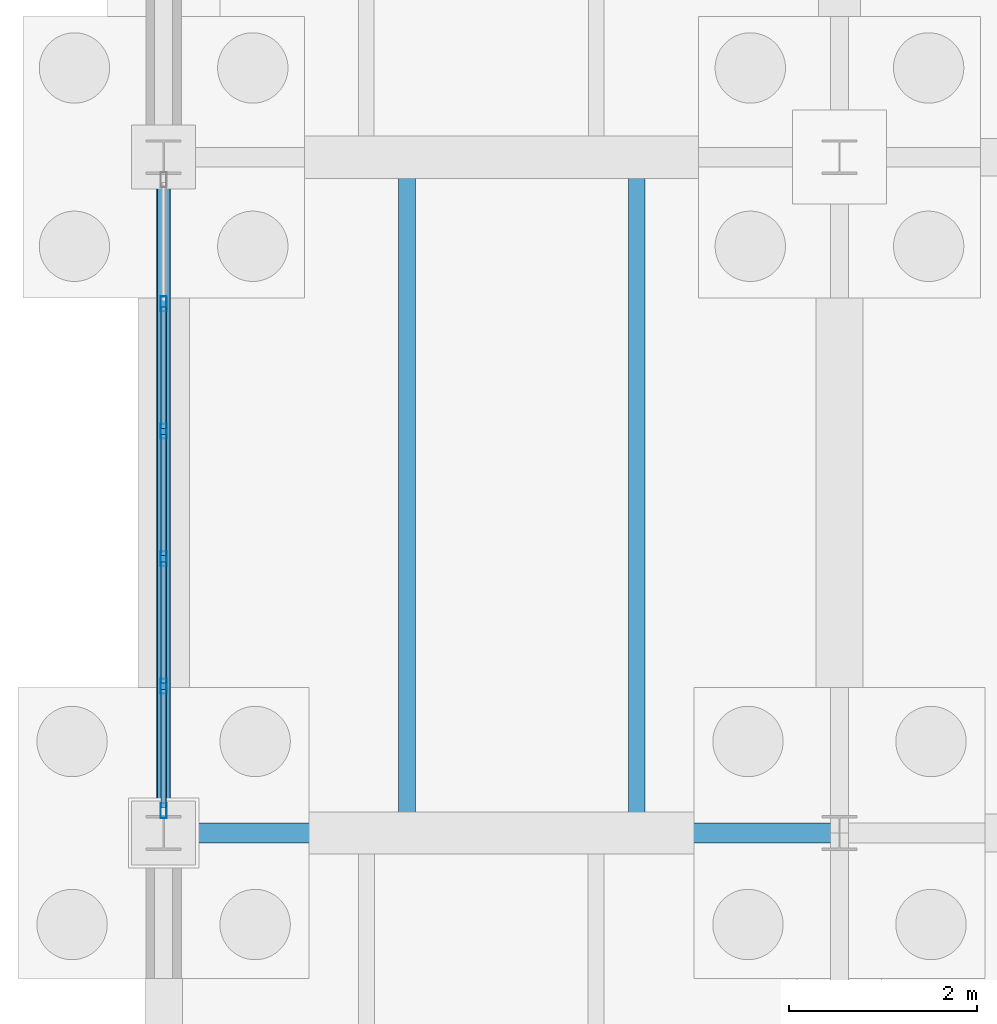
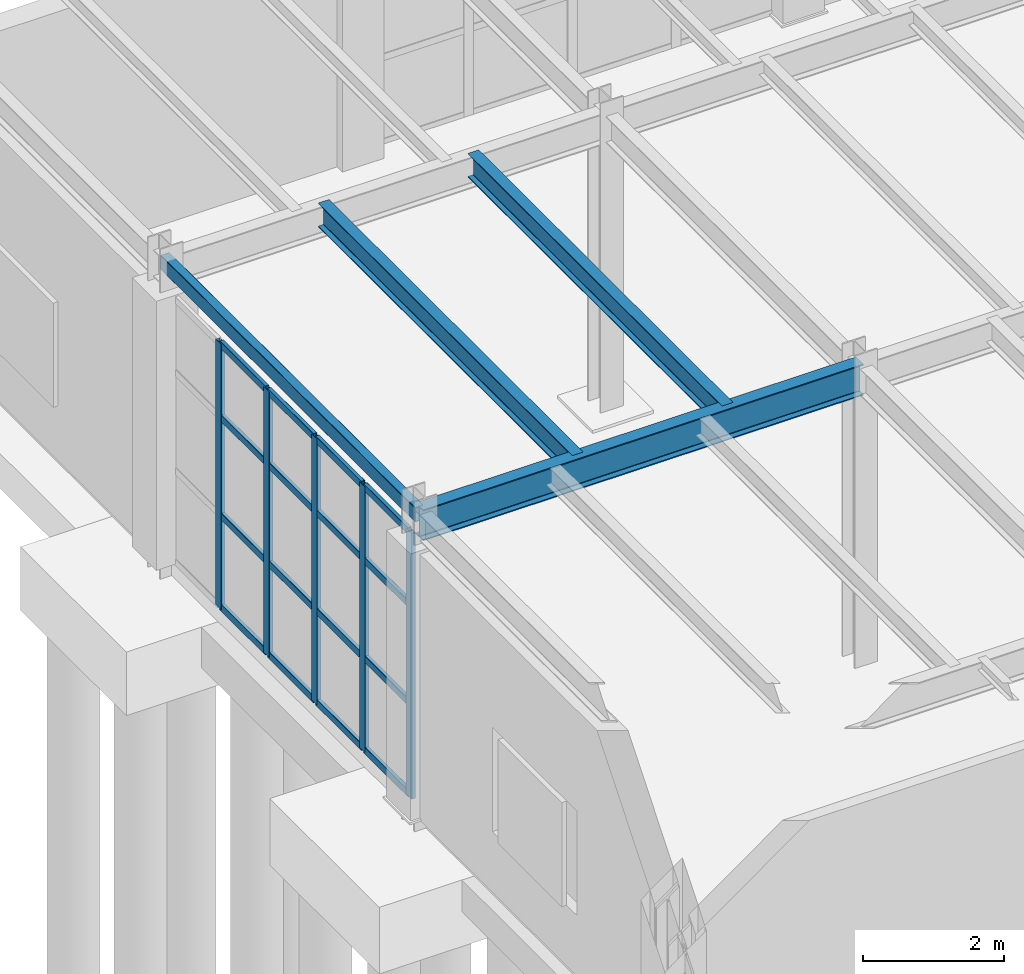
# One storey, part 94 of 293: 21 members, 4 beams, 1 element without a shape of its own.
"""IFC4 building model written with IfcOpenShell, lengths in metres."""

from ifc_helpers import new_model, si_unit, direction, frame, origin, origin_2d, place, context, subcontext, project, spatial, hollow_rectangle, i_section, extrude, material, layer, layer_set, material_profile, profile_set, type_object, element, aggregate, save


model = new_model("IFC4")

# Units and contexts
model_context = context("Model", 3, precision=1e-05, world=origin(), true_north=direction((0.0, 1.0)))
body_context = subcontext(model_context, "Body", "Model", "MODEL_VIEW")
ifc_project = project(units=[si_unit("LENGTHUNIT", "METRE"), si_unit("AREAUNIT", "SQUARE_METRE"), si_unit("VOLUMEUNIT", "CUBIC_METRE"), si_unit("PLANEANGLEUNIT", "RADIAN"), si_unit("MASSUNIT", "GRAM", prefix="KILO")], contexts=[model_context])

# Site, building, storey
site_placement = place(None, origin())
site = spatial("IfcSite", under=ifc_project, at=site_placement, CompositionType="ELEMENT")
building_placement = place(site_placement, origin())
building = spatial("IfcBuilding", under=site, at=building_placement, Name="Kemerveld Promenade Tramway Depot", CompositionType="ELEMENT")
storey_placement = place(building_placement, origin())
storey = spatial("IfcBuildingStorey", under=building, at=storey_placement, Name="L00", CompositionType="ELEMENT", Elevation=0.0)

# Beams
ifc_material_1 = material(Name="Steel S355", Category="steel")
ifc_material_profile_1 = material_profile(ifc_material_1, i_section(OverallWidth=0.2099609375, OverallDepth=0.53662109375, WebThickness=0.0107421875, FlangeThickness=0.017333984375, FilletRadius=0.0126953125, at=origin_2d()), Name="533x210x101 UB")
ifc_profile_set_1 = profile_set([ifc_material_profile_1], Name="Steel S355")
beam_type_1 = type_object("IfcBeamType", Name="BM-G05", PredefinedType="BEAM", material=ifc_profile_set_1)
beam_1_placement = place(storey_placement, frame((0.0, 64.800048828125, 4.881591796875), z_axis=(1.0, 0.0, 0.0), x_axis=(0.0, 1.0, 0.0)))
element("IfcBeam", 1, at=beam_1_placement, inside=storey, type_object=beam_type_1, Name="BMX-L00-01-02-K", PredefinedType="BEAM", context=body_context, shape_type="SweptSolid", body=[
    extrude(i_section(OverallWidth=0.2099609375, OverallDepth=0.53662109375, WebThickness=0.0107421875, FlangeThickness=0.017333984375, FilletRadius=0.0126953125, at=origin_2d()), origin(), (0.0, 0.0, 1.0), 7.199951171875),
])
ifc_material_profile_2 = material_profile(ifc_material_1, i_section(OverallWidth=0.1787109375, OverallDepth=0.409423828125, WebThickness=0.0087890625, FlangeThickness=0.014404296875, FilletRadius=0.01025390625, at=origin_2d()), Name="406x178x67 UB")
ifc_profile_set_2 = profile_set([ifc_material_profile_2], Name="Steel S355")
beam_type_2 = type_object("IfcBeamType", Name="BM-J05", PredefinedType="JOIST", material=ifc_profile_set_2)
for number, where, z_axis, x_axis, name in (
    (2, (2.592041015625, 64.800048828125, 4.9453125), (0.0, 1.0, 0.0), (-1.0, 0.0, 0.0), "JST-L00-01-K-1"),
    (3, (5.0400390625, 64.800048828125, 4.9453125), (0.0, 1.0, 0.0), (-1.0, 0.0, 0.0), "JST-L00-01-K-2"),
):
    element("IfcBeam", number, at=place(storey_placement, frame(where, z_axis=z_axis, x_axis=x_axis)), inside=storey, type_object=beam_type_2, Name=name, PredefinedType="JOIST", context=body_context, shape_type="SweptSolid", body=[
        extrude(i_section(OverallWidth=0.1787109375, OverallDepth=0.409423828125, WebThickness=0.0087890625, FlangeThickness=0.014404296875, FilletRadius=0.01025390625, at=origin_2d()), origin(), (0.0, 0.0, 1.0), 7.199951171875),
    ])
ifc_material_profile_3 = material_profile(ifc_material_1, hollow_rectangle(XDim=0.14990234375, YDim=0.25, WallThickness=0.010009765625, InnerFilletRadius=0.0048828125, OuterFilletRadius=0.014892578125, at=origin_2d()), Name="250x150x10.0 RHS")
ifc_profile_set_3 = profile_set([ifc_material_profile_3], Name="Steel S355")
beam_type_3 = type_object("IfcBeamType", Name="BM-SP2", PredefinedType="SPANDREL", material=ifc_profile_set_3)
beam_2_placement = place(storey_placement, frame((0.0, 64.800048828125, 5.02490234375), z_axis=(0.0, 1.0, 0.0), x_axis=(-1.0, 0.0, 0.0)))
element("IfcBeam", 4, at=beam_2_placement, inside=storey, type_object=beam_type_3, Name="BMY-L00-01-K-L", PredefinedType="SPANDREL", context=body_context, shape_type="SweptSolid", body=[
    extrude(hollow_rectangle(XDim=0.14990234375, YDim=0.25, WallThickness=0.010009765625, InnerFilletRadius=0.0048828125, OuterFilletRadius=0.014892578125, at=origin_2d()), origin(), (0.0, 0.0, 1.0), 7.199951171875),
])

# Curtain wall, members
ifc_material_2 = material(Name="Bronze anodised aluminium and solar glass", Category="aluminium")
ifc_layer = layer(ifc_material_2, 0.159912109375)
ifc_layer_set = layer_set([ifc_layer], Name="CW-SYS-13")
curtain_wall_type = type_object("IfcCurtainWallType", Name="CW-SYS-13", PredefinedType="USERDEFINED", material=ifc_layer_set)
curtain_wall_placement = place(storey_placement, origin())
curtain_wall = element("IfcCurtainWall", 5, at=curtain_wall_placement, inside=storey, type_object=curtain_wall_type, Name="CW-L00-V5W-10", ObjectType="GLAZED_CURTAIN_WALL", PredefinedType="USERDEFINED")
ifc_material_3 = material(Name="Bronze anodised aluminium", Category="aluminium")
ifc_material_profile_4 = material_profile(ifc_material_3, hollow_rectangle(XDim=0.06494140625, YDim=0.159912109375, WallThickness=0.00390625, InnerFilletRadius=0.001953125, OuterFilletRadius=0.00390625, at=origin_2d()), Name="CW-MUL-160x65")
ifc_profile_set_4 = profile_set([ifc_material_profile_4], Name="Bronze anodised aluminium")
member_type_1 = type_object("IfcMemberType", Name="CW-MUL-A", PredefinedType="MULLION", material=ifc_profile_set_4)
member_1_placement = place(storey_placement, frame((0.0, 65.038818359375, 0.0), z_axis=(0.0, 0.0, 1.0), x_axis=(-1.0, 0.0, 0.0)))
member_1 = element("IfcMember", 6, at=member_1_placement, type_object=member_type_1, Name="CW13 mullion 1", PredefinedType="MULLION", context=body_context, shape_type="SweptSolid", body=[
    extrude(hollow_rectangle(XDim=0.06494140625, YDim=0.159912109375, WallThickness=0.00390625, InnerFilletRadius=0.001953125, OuterFilletRadius=0.00390625, at=origin_2d()), origin(), (0.0, 0.0, 1.0), 4.593505859375),
])
member_2_placement = place(storey_placement, frame((0.0, 66.36376953125, 0.0), z_axis=(0.0, 0.0, 1.0), x_axis=(-1.0, 0.0, 0.0)))
member_2 = element("IfcMember", 7, at=member_2_placement, type_object=member_type_1, Name="CW13 mullion 2", PredefinedType="MULLION", context=body_context, shape_type="SweptSolid", body=[
    extrude(hollow_rectangle(XDim=0.06494140625, YDim=0.159912109375, WallThickness=0.00390625, InnerFilletRadius=0.001953125, OuterFilletRadius=0.00390625, at=origin_2d()), origin(), (0.0, 0.0, 1.0), 4.593505859375),
])
member_3_placement = place(storey_placement, frame((0.0, 67.72119140625, 0.0), z_axis=(0.0, 0.0, 1.0), x_axis=(-1.0, 0.0, 0.0)))
member_3 = element("IfcMember", 8, at=member_3_placement, type_object=member_type_1, Name="CW13 mullion 3", PredefinedType="MULLION", context=body_context, shape_type="SweptSolid", body=[
    extrude(hollow_rectangle(XDim=0.06494140625, YDim=0.159912109375, WallThickness=0.00390625, InnerFilletRadius=0.001953125, OuterFilletRadius=0.00390625, at=origin_2d()), origin(), (0.0, 0.0, 1.0), 4.593505859375),
])
member_4_placement = place(storey_placement, frame((0.0, 69.078857421875, 0.0), z_axis=(0.0, 0.0, 1.0), x_axis=(-1.0, 0.0, 0.0)))
member_4 = element("IfcMember", 9, at=member_4_placement, type_object=member_type_1, Name="CW13 mullion 4", PredefinedType="MULLION", context=body_context, shape_type="SweptSolid", body=[
    extrude(hollow_rectangle(XDim=0.06494140625, YDim=0.159912109375, WallThickness=0.00390625, InnerFilletRadius=0.001953125, OuterFilletRadius=0.00390625, at=origin_2d()), origin(), (0.0, 0.0, 1.0), 4.593505859375),
])
member_5_placement = place(storey_placement, frame((0.0, 70.436279296875, 0.0), z_axis=(0.0, 0.0, 1.0), x_axis=(-1.0, 0.0, 0.0)))
member_5 = element("IfcMember", 10, at=member_5_placement, type_object=member_type_1, Name="CW13 mullion 5", PredefinedType="MULLION", context=body_context, shape_type="SweptSolid", body=[
    extrude(hollow_rectangle(XDim=0.06494140625, YDim=0.159912109375, WallThickness=0.00390625, InnerFilletRadius=0.001953125, OuterFilletRadius=0.00390625, at=origin_2d()), origin(), (0.0, 0.0, 1.0), 4.593505859375),
])
ifc_material_profile_5 = material_profile(ifc_material_3, hollow_rectangle(XDim=0.06005859375, YDim=0.1201171875, WallThickness=0.00390625, InnerFilletRadius=0.001953125, OuterFilletRadius=0.00390625, at=origin_2d()), Name="CW-TRN-120x60")
ifc_profile_set_5 = profile_set([ifc_material_profile_5], Name="Bronze anodised aluminium")
member_type_2 = type_object("IfcMemberType", Name="CW-TRN-A", PredefinedType="USERDEFINED", material=ifc_profile_set_5)
member_6_placement = place(storey_placement, frame((0.0, 65.0712890625, 0.030029296875), z_axis=(0.0, 1.0, 0.0), x_axis=(-1.0, 0.0, 0.0)))
member_6 = element("IfcMember", 11, at=member_6_placement, type_object=member_type_2, Name="CW13 transom 1.1", ObjectType="TRANSOM", PredefinedType="USERDEFINED", context=body_context, shape_type="SweptSolid", body=[
    extrude(hollow_rectangle(XDim=0.06005859375, YDim=0.1201171875, WallThickness=0.00390625, InnerFilletRadius=0.001953125, OuterFilletRadius=0.00390625, at=origin_2d()), origin(), (0.0, 0.0, 1.0), 1.260009765625),
])
member_7_placement = place(storey_placement, frame((0.0, 65.0712890625, 1.60791015625), z_axis=(0.0, 1.0, 0.0), x_axis=(-1.0, 0.0, 0.0)))
member_7 = element("IfcMember", 12, at=member_7_placement, type_object=member_type_2, Name="CW13 transom 1.2", ObjectType="TRANSOM", PredefinedType="USERDEFINED", context=body_context, shape_type="SweptSolid", body=[
    extrude(hollow_rectangle(XDim=0.06005859375, YDim=0.1201171875, WallThickness=0.00390625, InnerFilletRadius=0.001953125, OuterFilletRadius=0.00390625, at=origin_2d()), origin(), (0.0, 0.0, 1.0), 1.260009765625),
])
member_8_placement = place(storey_placement, frame((0.0, 65.0712890625, 3.306884765625), z_axis=(0.0, 1.0, 0.0), x_axis=(-1.0, 0.0, 0.0)))
member_8 = element("IfcMember", 13, at=member_8_placement, type_object=member_type_2, Name="CW13 transom 1.3", ObjectType="TRANSOM", PredefinedType="USERDEFINED", context=body_context, shape_type="SweptSolid", body=[
    extrude(hollow_rectangle(XDim=0.06005859375, YDim=0.1201171875, WallThickness=0.00390625, InnerFilletRadius=0.001953125, OuterFilletRadius=0.00390625, at=origin_2d()), origin(), (0.0, 0.0, 1.0), 1.260009765625),
])
member_9_placement = place(storey_placement, frame((0.0, 65.0712890625, 4.5634765625), z_axis=(0.0, 1.0, 0.0), x_axis=(-1.0, 0.0, 0.0)))
member_9 = element("IfcMember", 14, at=member_9_placement, type_object=member_type_2, Name="CW13 transom 1.4", ObjectType="TRANSOM", PredefinedType="USERDEFINED", context=body_context, shape_type="SweptSolid", body=[
    extrude(hollow_rectangle(XDim=0.06005859375, YDim=0.1201171875, WallThickness=0.00390625, InnerFilletRadius=0.001953125, OuterFilletRadius=0.00390625, at=origin_2d()), origin(), (0.0, 0.0, 1.0), 1.260009765625),
])
member_10_placement = place(storey_placement, frame((0.0, 66.396240234375, 0.030029296875), z_axis=(0.0, 1.0, 0.0), x_axis=(-1.0, 0.0, 0.0)))
member_10 = element("IfcMember", 15, at=member_10_placement, type_object=member_type_2, Name="CW13 transom 2.1", ObjectType="TRANSOM", PredefinedType="USERDEFINED", context=body_context, shape_type="SweptSolid", body=[
    extrude(hollow_rectangle(XDim=0.06005859375, YDim=0.1201171875, WallThickness=0.00390625, InnerFilletRadius=0.001953125, OuterFilletRadius=0.00390625, at=origin_2d()), origin(), (0.0, 0.0, 1.0), 1.29248046875),
])
member_11_placement = place(storey_placement, frame((0.0, 66.396240234375, 1.60791015625), z_axis=(0.0, 1.0, 0.0), x_axis=(-1.0, 0.0, 0.0)))
member_11 = element("IfcMember", 16, at=member_11_placement, type_object=member_type_2, Name="CW13 transom 2.2", ObjectType="TRANSOM", PredefinedType="USERDEFINED", context=body_context, shape_type="SweptSolid", body=[
    extrude(hollow_rectangle(XDim=0.06005859375, YDim=0.1201171875, WallThickness=0.00390625, InnerFilletRadius=0.001953125, OuterFilletRadius=0.00390625, at=origin_2d()), origin(), (0.0, 0.0, 1.0), 1.29248046875),
])
member_12_placement = place(storey_placement, frame((0.0, 66.396240234375, 3.306884765625), z_axis=(0.0, 1.0, 0.0), x_axis=(-1.0, 0.0, 0.0)))
member_12 = element("IfcMember", 17, at=member_12_placement, type_object=member_type_2, Name="CW13 transom 2.3", ObjectType="TRANSOM", PredefinedType="USERDEFINED", context=body_context, shape_type="SweptSolid", body=[
    extrude(hollow_rectangle(XDim=0.06005859375, YDim=0.1201171875, WallThickness=0.00390625, InnerFilletRadius=0.001953125, OuterFilletRadius=0.00390625, at=origin_2d()), origin(), (0.0, 0.0, 1.0), 1.29248046875),
])
member_13_placement = place(storey_placement, frame((0.0, 66.396240234375, 4.5634765625), z_axis=(0.0, 1.0, 0.0), x_axis=(-1.0, 0.0, 0.0)))
member_13 = element("IfcMember", 18, at=member_13_placement, type_object=member_type_2, Name="CW13 transom 2.4", ObjectType="TRANSOM", PredefinedType="USERDEFINED", context=body_context, shape_type="SweptSolid", body=[
    extrude(hollow_rectangle(XDim=0.06005859375, YDim=0.1201171875, WallThickness=0.00390625, InnerFilletRadius=0.001953125, OuterFilletRadius=0.00390625, at=origin_2d()), origin(), (0.0, 0.0, 1.0), 1.29248046875),
])
member_14_placement = place(storey_placement, frame((0.0, 67.753662109375, 0.030029296875), z_axis=(0.0, 1.0, 0.0), x_axis=(-1.0, 0.0, 0.0)))
member_14 = element("IfcMember", 19, at=member_14_placement, type_object=member_type_2, Name="CW13 transom 3.1", ObjectType="TRANSOM", PredefinedType="USERDEFINED", context=body_context, shape_type="SweptSolid", body=[
    extrude(hollow_rectangle(XDim=0.06005859375, YDim=0.1201171875, WallThickness=0.00390625, InnerFilletRadius=0.001953125, OuterFilletRadius=0.00390625, at=origin_2d()), origin(), (0.0, 0.0, 1.0), 1.29248046875),
])
member_15_placement = place(storey_placement, frame((0.0, 67.753662109375, 1.60791015625), z_axis=(0.0, 1.0, 0.0), x_axis=(-1.0, 0.0, 0.0)))
member_15 = element("IfcMember", 20, at=member_15_placement, type_object=member_type_2, Name="CW13 transom 3.2", ObjectType="TRANSOM", PredefinedType="USERDEFINED", context=body_context, shape_type="SweptSolid", body=[
    extrude(hollow_rectangle(XDim=0.06005859375, YDim=0.1201171875, WallThickness=0.00390625, InnerFilletRadius=0.001953125, OuterFilletRadius=0.00390625, at=origin_2d()), origin(), (0.0, 0.0, 1.0), 1.29248046875),
])
member_16_placement = place(storey_placement, frame((0.0, 67.753662109375, 3.306884765625), z_axis=(0.0, 1.0, 0.0), x_axis=(-1.0, 0.0, 0.0)))
member_16 = element("IfcMember", 21, at=member_16_placement, type_object=member_type_2, Name="CW13 transom 3.3", ObjectType="TRANSOM", PredefinedType="USERDEFINED", context=body_context, shape_type="SweptSolid", body=[
    extrude(hollow_rectangle(XDim=0.06005859375, YDim=0.1201171875, WallThickness=0.00390625, InnerFilletRadius=0.001953125, OuterFilletRadius=0.00390625, at=origin_2d()), origin(), (0.0, 0.0, 1.0), 1.29248046875),
])
member_17_placement = place(storey_placement, frame((0.0, 67.753662109375, 4.5634765625), z_axis=(0.0, 1.0, 0.0), x_axis=(-1.0, 0.0, 0.0)))
member_17 = element("IfcMember", 22, at=member_17_placement, type_object=member_type_2, Name="CW13 transom 3.4", ObjectType="TRANSOM", PredefinedType="USERDEFINED", context=body_context, shape_type="SweptSolid", body=[
    extrude(hollow_rectangle(XDim=0.06005859375, YDim=0.1201171875, WallThickness=0.00390625, InnerFilletRadius=0.001953125, OuterFilletRadius=0.00390625, at=origin_2d()), origin(), (0.0, 0.0, 1.0), 1.29248046875),
])
member_18_placement = place(storey_placement, frame((0.0, 69.111328125, 0.030029296875), z_axis=(0.0, 1.0, 0.0), x_axis=(-1.0, 0.0, 0.0)))
member_18 = element("IfcMember", 23, at=member_18_placement, type_object=member_type_2, Name="CW13 transom 4.1", ObjectType="TRANSOM", PredefinedType="USERDEFINED", context=body_context, shape_type="SweptSolid", body=[
    extrude(hollow_rectangle(XDim=0.06005859375, YDim=0.1201171875, WallThickness=0.00390625, InnerFilletRadius=0.001953125, OuterFilletRadius=0.00390625, at=origin_2d()), origin(), (0.0, 0.0, 1.0), 1.29248046875),
])
member_19_placement = place(storey_placement, frame((0.0, 69.111328125, 1.60791015625), z_axis=(0.0, 1.0, 0.0), x_axis=(-1.0, 0.0, 0.0)))
member_19 = element("IfcMember", 24, at=member_19_placement, type_object=member_type_2, Name="CW13 transom 4.2", ObjectType="TRANSOM", PredefinedType="USERDEFINED", context=body_context, shape_type="SweptSolid", body=[
    extrude(hollow_rectangle(XDim=0.06005859375, YDim=0.1201171875, WallThickness=0.00390625, InnerFilletRadius=0.001953125, OuterFilletRadius=0.00390625, at=origin_2d()), origin(), (0.0, 0.0, 1.0), 1.29248046875),
])
member_20_placement = place(storey_placement, frame((0.0, 69.111328125, 3.306884765625), z_axis=(0.0, 1.0, 0.0), x_axis=(-1.0, 0.0, 0.0)))
member_20 = element("IfcMember", 25, at=member_20_placement, type_object=member_type_2, Name="CW13 transom 4.3", ObjectType="TRANSOM", PredefinedType="USERDEFINED", context=body_context, shape_type="SweptSolid", body=[
    extrude(hollow_rectangle(XDim=0.06005859375, YDim=0.1201171875, WallThickness=0.00390625, InnerFilletRadius=0.001953125, OuterFilletRadius=0.00390625, at=origin_2d()), origin(), (0.0, 0.0, 1.0), 1.29248046875),
])
member_21_placement = place(storey_placement, frame((0.0, 69.111328125, 4.5634765625), z_axis=(0.0, 1.0, 0.0), x_axis=(-1.0, 0.0, 0.0)))
member_21 = element("IfcMember", 26, at=member_21_placement, type_object=member_type_2, Name="CW13 transom 4.4", ObjectType="TRANSOM", PredefinedType="USERDEFINED", context=body_context, shape_type="SweptSolid", body=[
    extrude(hollow_rectangle(XDim=0.06005859375, YDim=0.1201171875, WallThickness=0.00390625, InnerFilletRadius=0.001953125, OuterFilletRadius=0.00390625, at=origin_2d()), origin(), (0.0, 0.0, 1.0), 1.29248046875),
])
aggregate(curtain_wall, [member_1, member_2, member_3, member_4, member_5, member_6, member_7, member_8, member_9, member_10, member_11, member_12, member_13, member_14, member_15, member_16, member_17, member_18, member_19, member_20, member_21])

save(model, "model.ifc")
